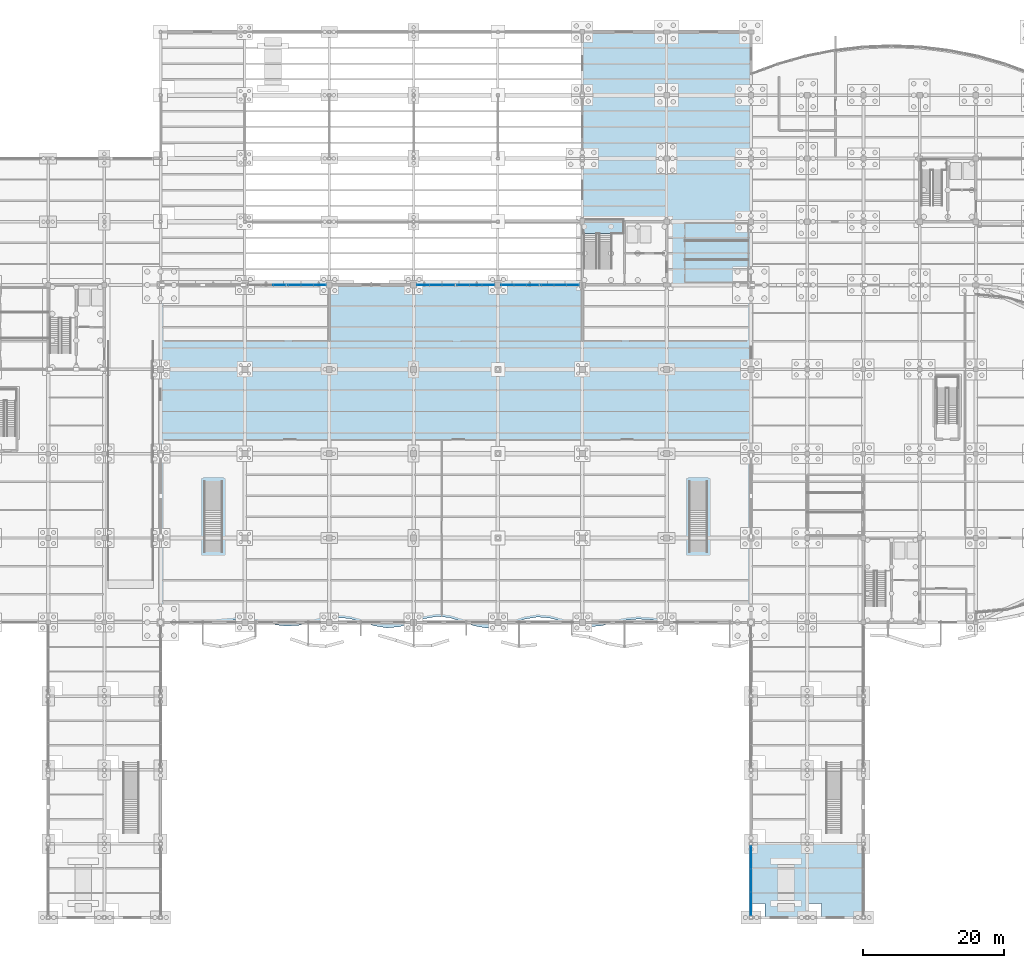
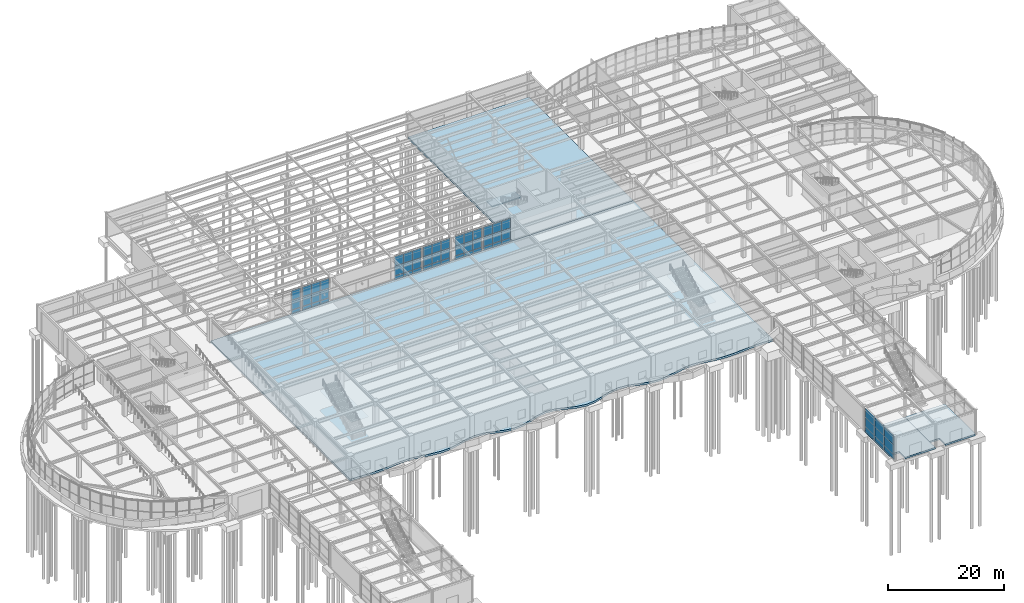
# One storey, part 54 of 85: 57 plates, 5 slabs, 8 elements without a shape of their own.
"""IFC4 building model written with IfcOpenShell, lengths in metres."""

import ifcopenshell
import ifcopenshell.guid

model = None  # the IFC model being written
_history = None  # IfcOwnerHistory: only IFC2X3 demands one
_inside = {}  # id of a spatial element -> (the spatial element, [elements in it])
_under = {}  # id of a project, library or spatial element -> (it, [spatial elements below it])
_declared = {}  # id of a project -> (the project, [libraries it declares])
_typed = {}  # id of a type object -> (the type object, [elements of that type])
_made_of = {}  # id of a material, layer set ... -> (it, [elements and type objects made of it])


def new_model(schema):
    """Start an empty IFC model of exactly this schema.

    Asked for "IFC4X3", IfcOpenShell would pick the latest addendum, in which some entities
    have other attributes; the version numbers below select the first issue.
    IFC2X3 requires an IfcOwnerHistory on every rooted entity: one is made here for all.
    """
    global model, _history
    if schema == "IFC4X3":
        model = ifcopenshell.file(schema_version=(4, 3, 0, 0))
    else:
        model = ifcopenshell.file(schema=schema)
    _inside.clear()
    _under.clear()
    _declared.clear()
    _typed.clear()
    _made_of.clear()
    _history = None
    if model.schema == "IFC2X3":
        org = make("IfcOrganization", Name="unknown")
        user = make(
            "IfcPersonAndOrganization",
            ThePerson=make("IfcPerson", FamilyName="unknown"),
            TheOrganization=org,
        )
        app = make(
            "IfcApplication",
            ApplicationDeveloper=org,
            Version="unknown",
            ApplicationFullName="unknown",
            ApplicationIdentifier="unknown",
        )
        _history = make(
            "IfcOwnerHistory",
            OwningUser=user,
            OwningApplication=app,
            ChangeAction="ADDED",
            CreationDate=0,
        )
    return model


def make(cls, **values):
    """One entity of the class cls with the attributes given. An attribute that is None is left unset."""
    return model.create_entity(
        cls, **{name: value for name, value in values.items() if value is not None}
    )


def rooted(cls, **values):
    """An entity with a GlobalId (a new one), such as an element, a storey or a relation."""
    return make(cls, GlobalId=ifcopenshell.guid.new(), OwnerHistory=_history, **values)


def si_unit(unit_type, name, prefix=None):
    """IfcSIUnit, for example si_unit("LENGTHUNIT", "METRE", prefix="MILLI")."""
    return make("IfcSIUnit", UnitType=unit_type, Prefix=prefix, Name=name)


def assignment(units):
    """IfcUnitAssignment: the units of a project."""
    return None if units is None else make("IfcUnitAssignment", Units=units)


def point(xyz):
    """IfcCartesianPoint."""
    return None if xyz is None else make("IfcCartesianPoint", Coordinates=xyz)


def direction(xyz):
    """IfcDirection."""
    return None if xyz is None else make("IfcDirection", DirectionRatios=xyz)


def frame(location, z_axis=None, x_axis=None):
    """IfcAxis2Placement3D, a coordinate frame: its origin and axes. An axis left out is left unset."""
    return make(
        "IfcAxis2Placement3D",
        Location=point(location),
        Axis=direction(z_axis),
        RefDirection=direction(x_axis),
    )


def frame_2d(location, x_axis=None):
    """IfcAxis2Placement2D, a coordinate frame in the plane: its origin and x axis."""
    return make(
        "IfcAxis2Placement2D", Location=point(location), RefDirection=direction(x_axis)
    )


def origin():
    """The frame at (0, 0, 0) with its axes left unset."""
    return frame((0.0, 0.0, 0.0))


def origin_2d():
    """The frame at (0, 0) in the plane with its x axis left unset."""
    return frame_2d((0.0, 0.0))


def place(relative_to, where):
    """IfcLocalPlacement: puts the frame where relative to a parent placement (None: the world)."""
    return make(
        "IfcLocalPlacement", PlacementRelTo=relative_to, RelativePlacement=where
    )


def context(
    kind, dimensions, precision=None, world=None, true_north=None, identifier=None
):
    """IfcGeometricRepresentationContext, for example the 3D "Model" context."""
    return make(
        "IfcGeometricRepresentationContext",
        ContextIdentifier=identifier,
        ContextType=kind,
        CoordinateSpaceDimension=dimensions,
        Precision=precision,
        WorldCoordinateSystem=world,
        TrueNorth=true_north,
    )


def subcontext(parent, identifier, kind, view, scale=None):
    """IfcGeometricRepresentationSubContext, for example "Body" below "Model"."""
    return make(
        "IfcGeometricRepresentationSubContext",
        ContextIdentifier=identifier,
        ContextType=kind,
        ParentContext=parent,
        TargetScale=scale,
        TargetView=view,
    )


def project(units=None, contexts=None):
    """IfcProject with its units and contexts."""
    return rooted(
        "IfcProject",
        Name="project",
        RepresentationContexts=contexts,
        UnitsInContext=assignment(units),
    )


def spatial(cls, under=None, at=None, **own):
    """A site, building, storey or space (cls), placed at a placement, below another one or the project."""
    s = rooted(cls, ObjectPlacement=at, **own)
    if under is not None:
        _under.setdefault(under.id(), (under, []))[1].append(s)
    return s


def polyline(points):
    """IfcPolyline through the points."""
    return make("IfcPolyline", Points=[point(p) for p in points])


def profile(cls, at=None, kind="AREA", **sizes):
    """A parametric profile (cls). Its sizes go by their IFC names, for example OverallWidth=200.0."""
    return make(cls, ProfileType=kind, Position=at, **sizes)


def rectangle(**sizes):
    """IfcRectangleProfileDef."""
    return profile("IfcRectangleProfileDef", **sizes)


def outline(outer, holes=None, kind="AREA"):
    """IfcArbitraryClosedProfileDef: a profile drawn as a closed curve; with holes, ...WithVoids."""
    if holes is None:
        return make("IfcArbitraryClosedProfileDef", ProfileType=kind, OuterCurve=outer)
    return make(
        "IfcArbitraryProfileDefWithVoids",
        ProfileType=kind,
        OuterCurve=outer,
        InnerCurves=holes,
    )


def extrude(swept, where, along, depth):
    """IfcExtrudedAreaSolid: the profile swept, set in the frame where, extruded along a direction by depth."""
    return make(
        "IfcExtrudedAreaSolid",
        SweptArea=swept,
        Position=where,
        ExtrudedDirection=direction(along),
        Depth=depth,
    )


def shape(context_of_items, identifier, shape_type, items):
    """IfcShapeRepresentation: the items that make up one representation, for example the "Body"."""
    return make(
        "IfcShapeRepresentation",
        ContextOfItems=context_of_items,
        RepresentationIdentifier=identifier,
        RepresentationType=shape_type,
        Items=items,
    )


def material(Name=None, Category=None):
    """IfcMaterial."""
    return make("IfcMaterial", Name=Name, Category=Category)


def layer(
    of_material, thickness, ventilated=None, Name=None, Category=None, Priority=None
):
    """IfcMaterialLayer: one layer of a wall or slab, of a material (None: an air gap)."""
    return make(
        "IfcMaterialLayer",
        Material=of_material,
        LayerThickness=thickness,
        IsVentilated=ventilated,
        Name=Name,
        Category=Category,
        Priority=Priority,
    )


def layer_set(layers, Name=None):
    """IfcMaterialLayerSet."""
    return make("IfcMaterialLayerSet", MaterialLayers=layers, LayerSetName=Name)


def made_of(thing, what):
    """Note that an element or type object is made of a material, layer set ...; save() writes the relation."""
    if what is not None:
        _made_of.setdefault(what.id(), (what, []))[1].append(thing)
    return thing


def type_object(cls, material=None, **own):
    """A type object (cls), such as IfcWallType, which elements share."""
    return made_of(rooted(cls, **own), material)


def element(
    cls,
    number,
    at=None,
    inside=None,
    cuts=None,
    type_object=None,
    material=None,
    context=None,
    identifier="Body",
    shape_type=None,
    held_by="IfcProductDefinitionShape",
    body=None,
    shapes=None,
    **own,
):
    """One element of the class cls, such as IfcWall. Its Tag is "e" and its number.

    at: its placement. inside: the storey or other place that contains it. cuts: it is an
    opening in that element (IfcRelVoidsElement). A single representation is given by context,
    identifier, shape_type and body (its items); several are given by shapes. held_by: the class
    of the entity that holds the representations. save() writes the other relations.
    """
    e = rooted(cls, Tag="e%d" % number, ObjectPlacement=at, **own)
    if body is not None:
        shapes = [shape(context, identifier, shape_type, body)]
    if shapes is not None:
        e.Representation = make(held_by, Representations=shapes)
    if inside is not None:
        _inside.setdefault(inside.id(), (inside, []))[1].append(e)
    if cuts is not None:
        rooted(
            "IfcRelVoidsElement", RelatingBuildingElement=cuts, RelatedOpeningElement=e
        )
    if type_object is not None:
        _typed.setdefault(type_object.id(), (type_object, []))[1].append(e)
    return made_of(e, material)


def aggregate(whole, parts):
    """IfcRelAggregates: a whole, such as a stair, and the parts it consists of."""
    return rooted("IfcRelAggregates", RelatingObject=whole, RelatedObjects=parts)


def save(model, path):
    """Write the relations noted so far, then the file.

    IfcRelAggregates (storeys below a building ...), IfcRelContainedInSpatialStructure (elements
    in a storey), IfcRelDefinesByType, IfcRelAssociatesMaterial and IfcRelDeclares: one each for
    every whole, place, type object, material and project.
    """
    for whole, parts in _under.values():
        aggregate(whole, parts)
    for where, things in _inside.values():
        rooted(
            "IfcRelContainedInSpatialStructure",
            RelatedElements=things,
            RelatingStructure=where,
        )
    for kind, things in _typed.values():
        rooted("IfcRelDefinesByType", RelatedObjects=things, RelatingType=kind)
    for what, things in _made_of.values():
        rooted("IfcRelAssociatesMaterial", RelatedObjects=things, RelatingMaterial=what)
    for by, libraries in _declared.values():
        rooted("IfcRelDeclares", RelatingContext=by, RelatedDefinitions=libraries)
    model.write(path)


model = new_model("IFC4")

# Units and contexts
model_context = context("Model", 3, precision=1e-05, world=origin(), true_north=direction((0.0, 1.0)))
body_context = subcontext(model_context, "Body", "Model", "MODEL_VIEW")
ifc_project = project(units=[si_unit("LENGTHUNIT", "METRE"), si_unit("AREAUNIT", "SQUARE_METRE"), si_unit("VOLUMEUNIT", "CUBIC_METRE"), si_unit("PLANEANGLEUNIT", "RADIAN"), si_unit("MASSUNIT", "GRAM", prefix="KILO")], contexts=[model_context])

# Site, building, storey
site_placement = place(None, origin())
site = spatial("IfcSite", under=ifc_project, at=site_placement, CompositionType="ELEMENT")
building_placement = place(site_placement, origin())
building = spatial("IfcBuilding", under=site, at=building_placement, Name="Keelwater Ferry Terminal", CompositionType="ELEMENT")
storey_placement = place(building_placement, origin())
storey = spatial("IfcBuildingStorey", under=building, at=storey_placement, Name="L00", CompositionType="ELEMENT", Elevation=0.0)

# Curtain wall, plate
ifc_material_1 = material(Name="Thermally broken unitised aluminium and triple glass", Category="aluminium")
ifc_layer_1 = layer(ifc_material_1, 0.179931640625)
ifc_layer_set_1 = layer_set([ifc_layer_1], Name="Thermally broken unitised aluminium and triple glass")
curtain_wall_type_1 = type_object("IfcCurtainWallType", Name="CW-05 Unitised Curtain Wall 5305x4950", PredefinedType="USERDEFINED", material=ifc_layer_set_1)
curtain_wall_1_placement = place(storey_placement, origin())
curtain_wall_1 = element("IfcCurtainWall", 1, at=curtain_wall_1_placement, inside=storey, type_object=curtain_wall_type_1, Name="Unitised Curtain Wall CW-L00-025", ObjectType="UNITISED CURTAIN WALL", PredefinedType="USERDEFINED")
ifc_material_2 = material(Name="Insulated aluminium spandrel", Category="aluminium")
ifc_layer_2 = layer(ifc_material_2, 0.080078125)
ifc_layer_set_2 = layer_set([ifc_layer_2], Name="Insulated aluminium spandrel")
plate_type_1 = type_object("IfcPlateType", Name="CWP-S1 Insulated Spandrel Panel 80", PredefinedType="CURTAIN_PANEL", material=ifc_layer_set_2)
plate_1_placement = place(storey_placement, frame((64.9208984375, 90.0, 0.0), z_axis=(0.0, 0.0, 1.0), x_axis=(1.0, 0.0, 0.0)))
plate_1 = element("IfcPlate", 2, at=plate_1_placement, type_object=plate_type_1, Name="CW-L00-025 Panel 3.1", PredefinedType="CURTAIN_PANEL", context=body_context, shape_type="SweptSolid", body=[
    extrude(rectangle(XDim=1.768310546875, YDim=0.080078125, at=origin_2d()), origin(), (0.0, 0.0, 1.0), 0.85009765625),
])

# Curtain wall, plates
curtain_wall_2_placement = place(storey_placement, origin())
curtain_wall_2 = element("IfcCurtainWall", 3, at=curtain_wall_2_placement, inside=storey, type_object=curtain_wall_type_1, Name="Unitised Curtain Wall CW-L00-026", ObjectType="UNITISED CURTAIN WALL", PredefinedType="USERDEFINED")
plate_2_placement = place(storey_placement, frame((67.0791015625, 90.0, 0.0), z_axis=(0.0, 0.0, 1.0), x_axis=(1.0, 0.0, 0.0)))
plate_2 = element("IfcPlate", 4, at=plate_2_placement, type_object=plate_type_1, Name="CW-L00-026 Panel 1.1", PredefinedType="CURTAIN_PANEL", context=body_context, shape_type="SweptSolid", body=[
    extrude(rectangle(XDim=1.768310546875, YDim=0.080078125, at=origin_2d()), origin(), (0.0, 0.0, 1.0), 0.85009765625),
])
plate_3_placement = place(storey_placement, frame((68.847412109375, 90.0, 0.0), z_axis=(0.0, 0.0, 1.0), x_axis=(1.0, 0.0, 0.0)))
plate_3 = element("IfcPlate", 5, at=plate_3_placement, type_object=plate_type_1, Name="CW-L00-026 Panel 2.1", PredefinedType="CURTAIN_PANEL", context=body_context, shape_type="SweptSolid", body=[
    extrude(rectangle(XDim=1.768310546875, YDim=0.080078125, at=origin_2d()), origin(), (0.0, 0.0, 1.0), 0.85009765625),
])
plate_4_placement = place(storey_placement, frame((70.61572265625, 90.0, 0.0), z_axis=(0.0, 0.0, 1.0), x_axis=(1.0, 0.0, 0.0)))
plate_4 = element("IfcPlate", 6, at=plate_4_placement, type_object=plate_type_1, Name="CW-L00-026 Panel 3.1", PredefinedType="CURTAIN_PANEL", context=body_context, shape_type="SweptSolid", body=[
    extrude(rectangle(XDim=1.768310546875, YDim=0.080078125, at=origin_2d()), origin(), (0.0, 0.0, 1.0), 0.85009765625),
])

curtain_wall_3_placement = place(storey_placement, origin())
curtain_wall_3 = element("IfcCurtainWall", 7, at=curtain_wall_3_placement, inside=storey, type_object=curtain_wall_type_1, Name="Unitised Curtain Wall CW-L00-027", ObjectType="UNITISED CURTAIN WALL", PredefinedType="USERDEFINED")
plate_5_placement = place(storey_placement, frame((85.38427734375, 90.0, 0.0), z_axis=(0.0, 0.0, 1.0), x_axis=(1.0, 0.0, 0.0)))
plate_5 = element("IfcPlate", 8, at=plate_5_placement, type_object=plate_type_1, Name="CW-L00-027 Panel 1.1", PredefinedType="CURTAIN_PANEL", context=body_context, shape_type="SweptSolid", body=[
    extrude(rectangle(XDim=1.768310546875, YDim=0.080078125, at=origin_2d()), origin(), (0.0, 0.0, 1.0), 0.85009765625),
])
plate_6_placement = place(storey_placement, frame((87.152587890625, 90.0, 0.0), z_axis=(0.0, 0.0, 1.0), x_axis=(1.0, 0.0, 0.0)))
plate_6 = element("IfcPlate", 9, at=plate_6_placement, type_object=plate_type_1, Name="CW-L00-027 Panel 2.1", PredefinedType="CURTAIN_PANEL", context=body_context, shape_type="SweptSolid", body=[
    extrude(rectangle(XDim=1.768310546875, YDim=0.080078125, at=origin_2d()), origin(), (0.0, 0.0, 1.0), 0.85009765625),
])
plate_7_placement = place(storey_placement, frame((88.9208984375, 90.0, 0.0), z_axis=(0.0, 0.0, 1.0), x_axis=(1.0, 0.0, 0.0)))
plate_7 = element("IfcPlate", 10, at=plate_7_placement, type_object=plate_type_1, Name="CW-L00-027 Panel 3.1", PredefinedType="CURTAIN_PANEL", context=body_context, shape_type="SweptSolid", body=[
    extrude(rectangle(XDim=1.768310546875, YDim=0.080078125, at=origin_2d()), origin(), (0.0, 0.0, 1.0), 0.85009765625),
])

curtain_wall_4_placement = place(storey_placement, origin())
curtain_wall_4 = element("IfcCurtainWall", 11, at=curtain_wall_4_placement, inside=storey, type_object=curtain_wall_type_1, Name="Unitised Curtain Wall CW-L00-028", ObjectType="UNITISED CURTAIN WALL", PredefinedType="USERDEFINED")
plate_8_placement = place(storey_placement, frame((91.0791015625, 90.0, 0.0), z_axis=(0.0, 0.0, 1.0), x_axis=(1.0, 0.0, 0.0)))
plate_8 = element("IfcPlate", 12, at=plate_8_placement, type_object=plate_type_1, Name="CW-L00-028 Panel 1.1", PredefinedType="CURTAIN_PANEL", context=body_context, shape_type="SweptSolid", body=[
    extrude(rectangle(XDim=1.768310546875, YDim=0.080078125, at=origin_2d()), origin(), (0.0, 0.0, 1.0), 0.85009765625),
])
plate_9_placement = place(storey_placement, frame((92.847412109375, 90.0, 0.0), z_axis=(0.0, 0.0, 1.0), x_axis=(1.0, 0.0, 0.0)))
plate_9 = element("IfcPlate", 13, at=plate_9_placement, type_object=plate_type_1, Name="CW-L00-028 Panel 2.1", PredefinedType="CURTAIN_PANEL", context=body_context, shape_type="SweptSolid", body=[
    extrude(rectangle(XDim=1.768310546875, YDim=0.080078125, at=origin_2d()), origin(), (0.0, 0.0, 1.0), 0.85009765625),
])
plate_10_placement = place(storey_placement, frame((94.61572265625, 90.0, 0.0), z_axis=(0.0, 0.0, 1.0), x_axis=(1.0, 0.0, 0.0)))
plate_10 = element("IfcPlate", 14, at=plate_10_placement, type_object=plate_type_1, Name="CW-L00-028 Panel 3.1", PredefinedType="CURTAIN_PANEL", context=body_context, shape_type="SweptSolid", body=[
    extrude(rectangle(XDim=1.768310546875, YDim=0.080078125, at=origin_2d()), origin(), (0.0, 0.0, 1.0), 0.85009765625),
])

curtain_wall_5_placement = place(storey_placement, origin())
curtain_wall_5 = element("IfcCurtainWall", 15, at=curtain_wall_5_placement, inside=storey, type_object=curtain_wall_type_1, Name="Unitised Curtain Wall CW-L00-029", ObjectType="UNITISED CURTAIN WALL", PredefinedType="USERDEFINED")
plate_11_placement = place(storey_placement, frame((97.38427734375, 90.0, 0.0), z_axis=(0.0, 0.0, 1.0), x_axis=(1.0, 0.0, 0.0)))
plate_11 = element("IfcPlate", 16, at=plate_11_placement, type_object=plate_type_1, Name="CW-L00-029 Panel 1.1", PredefinedType="CURTAIN_PANEL", context=body_context, shape_type="SweptSolid", body=[
    extrude(rectangle(XDim=1.768310546875, YDim=0.080078125, at=origin_2d()), origin(), (0.0, 0.0, 1.0), 0.85009765625),
])
plate_12_placement = place(storey_placement, frame((99.152587890625, 90.0, 0.0), z_axis=(0.0, 0.0, 1.0), x_axis=(1.0, 0.0, 0.0)))
plate_12 = element("IfcPlate", 17, at=plate_12_placement, type_object=plate_type_1, Name="CW-L00-029 Panel 2.1", PredefinedType="CURTAIN_PANEL", context=body_context, shape_type="SweptSolid", body=[
    extrude(rectangle(XDim=1.768310546875, YDim=0.080078125, at=origin_2d()), origin(), (0.0, 0.0, 1.0), 0.85009765625),
])
plate_13_placement = place(storey_placement, frame((100.9208984375, 90.0, 0.0), z_axis=(0.0, 0.0, 1.0), x_axis=(1.0, 0.0, 0.0)))
plate_13 = element("IfcPlate", 18, at=plate_13_placement, type_object=plate_type_1, Name="CW-L00-029 Panel 3.1", PredefinedType="CURTAIN_PANEL", context=body_context, shape_type="SweptSolid", body=[
    extrude(rectangle(XDim=1.768310546875, YDim=0.080078125, at=origin_2d()), origin(), (0.0, 0.0, 1.0), 0.85009765625),
])

curtain_wall_6_placement = place(storey_placement, origin())
curtain_wall_6 = element("IfcCurtainWall", 19, at=curtain_wall_6_placement, inside=storey, type_object=curtain_wall_type_1, Name="Unitised Curtain Wall CW-L00-030", ObjectType="UNITISED CURTAIN WALL", PredefinedType="USERDEFINED")
plate_14_placement = place(storey_placement, frame((103.0791015625, 90.0, 0.0), z_axis=(0.0, 0.0, 1.0), x_axis=(1.0, 0.0, 0.0)))
plate_14 = element("IfcPlate", 20, at=plate_14_placement, type_object=plate_type_1, Name="CW-L00-030 Panel 1.1", PredefinedType="CURTAIN_PANEL", context=body_context, shape_type="SweptSolid", body=[
    extrude(rectangle(XDim=1.768310546875, YDim=0.080078125, at=origin_2d()), origin(), (0.0, 0.0, 1.0), 0.85009765625),
])
plate_15_placement = place(storey_placement, frame((104.847412109375, 90.0, 0.0), z_axis=(0.0, 0.0, 1.0), x_axis=(1.0, 0.0, 0.0)))
plate_15 = element("IfcPlate", 21, at=plate_15_placement, type_object=plate_type_1, Name="CW-L00-030 Panel 2.1", PredefinedType="CURTAIN_PANEL", context=body_context, shape_type="SweptSolid", body=[
    extrude(rectangle(XDim=1.768310546875, YDim=0.080078125, at=origin_2d()), origin(), (0.0, 0.0, 1.0), 0.85009765625),
])
plate_16_placement = place(storey_placement, frame((106.61572265625, 90.0, 0.0), z_axis=(0.0, 0.0, 1.0), x_axis=(1.0, 0.0, 0.0)))
plate_16 = element("IfcPlate", 22, at=plate_16_placement, type_object=plate_type_1, Name="CW-L00-030 Panel 3.1", PredefinedType="CURTAIN_PANEL", context=body_context, shape_type="SweptSolid", body=[
    extrude(rectangle(XDim=1.768310546875, YDim=0.080078125, at=origin_2d()), origin(), (0.0, 0.0, 1.0), 0.85009765625),
])

ifc_material_3 = material(Name="Thermally broken unitised aluminium and triple glass", Category="aluminium")
ifc_layer_3 = layer(ifc_material_3, 0.179931640625)
ifc_layer_set_3 = layer_set([ifc_layer_3], Name="Thermally broken unitised aluminium and triple glass")
curtain_wall_type_2 = type_object("IfcCurtainWallType", Name="CW-08 Unitised Curtain Wall 9842x4950", PredefinedType="USERDEFINED", material=ifc_layer_set_3)
curtain_wall_7_placement = place(storey_placement, origin())
curtain_wall_7 = element("IfcCurtainWall", 23, at=curtain_wall_7_placement, inside=storey, type_object=curtain_wall_type_2, Name="Unitised Curtain Wall CW-L00-059", ObjectType="UNITISED CURTAIN WALL", PredefinedType="USERDEFINED")
plate_17_placement = place(storey_placement, frame((132.0, 1.96923828125, 0.0), z_axis=(0.0, 0.0, 1.0), x_axis=(0.0, 1.0, 0.0)))
plate_17 = element("IfcPlate", 24, at=plate_17_placement, type_object=plate_type_1, Name="CW-L00-059 Panel 1.1", PredefinedType="CURTAIN_PANEL", context=body_context, shape_type="SweptSolid", body=[
    extrude(rectangle(XDim=3.28076171875, YDim=0.080078125, at=origin_2d()), origin(), (0.0, 0.0, 1.0), 1.0),
])
plate_18_placement = place(storey_placement, frame((132.0, 5.25, 0.0), z_axis=(0.0, 0.0, 1.0), x_axis=(0.0, 1.0, 0.0)))
plate_18 = element("IfcPlate", 25, at=plate_18_placement, type_object=plate_type_1, Name="CW-L00-059 Panel 2.1", PredefinedType="CURTAIN_PANEL", context=body_context, shape_type="SweptSolid", body=[
    extrude(rectangle(XDim=3.28076171875, YDim=0.080078125, at=origin_2d()), origin(), (0.0, 0.0, 1.0), 1.0),
])
plate_19_placement = place(storey_placement, frame((132.0, 8.53076171875, 0.0), z_axis=(0.0, 0.0, 1.0), x_axis=(0.0, 1.0, 0.0)))
plate_19 = element("IfcPlate", 26, at=plate_19_placement, type_object=plate_type_1, Name="CW-L00-059 Panel 3.1", PredefinedType="CURTAIN_PANEL", context=body_context, shape_type="SweptSolid", body=[
    extrude(rectangle(XDim=3.28076171875, YDim=0.080078125, at=origin_2d()), origin(), (0.0, 0.0, 1.0), 1.0),
])

# Plate
ifc_material_4 = material(Name="Triple low-E laminated glass", Category="glass")
ifc_layer_4 = layer(ifc_material_4, 0.035888671875)
ifc_layer_set_4 = layer_set([ifc_layer_4], Name="Triple low-E laminated glass")
plate_type_2 = type_object("IfcPlateType", Name="CWP-V1 Glazed Vision Panel 36", PredefinedType="CURTAIN_PANEL", material=ifc_layer_set_4)
plate_20_placement = place(storey_placement, frame((64.9208984375, 90.0, 0.85009765625), z_axis=(0.0, 0.0, 1.0), x_axis=(1.0, 0.0, 0.0)))
plate_20 = element("IfcPlate", 27, at=plate_20_placement, type_object=plate_type_2, Name="CW-L00-025 Panel 3.2", PredefinedType="CURTAIN_PANEL", context=body_context, shape_type="SweptSolid", body=[
    extrude(rectangle(XDim=1.768310546875, YDim=0.035888671875, at=origin_2d()), origin(), (0.0, 0.0, 1.0), 2.050048828125),
])

plate_21_placement = place(storey_placement, frame((64.9208984375, 90.0, 2.89990234375), z_axis=(0.0, 0.0, 1.0), x_axis=(1.0, 0.0, 0.0)))
plate_21 = element("IfcPlate", 28, at=plate_21_placement, type_object=plate_type_2, Name="CW-L00-025 Panel 3.3", PredefinedType="CURTAIN_PANEL", context=body_context, shape_type="SweptSolid", body=[
    extrude(rectangle(XDim=1.768310546875, YDim=0.035888671875, at=origin_2d()), origin(), (0.0, 0.0, 1.0), 2.050048828125),
])

aggregate(curtain_wall_1, [plate_1, plate_20, plate_21])

plate_22_placement = place(storey_placement, frame((67.0791015625, 90.0, 0.85009765625), z_axis=(0.0, 0.0, 1.0), x_axis=(1.0, 0.0, 0.0)))
plate_22 = element("IfcPlate", 29, at=plate_22_placement, type_object=plate_type_2, Name="CW-L00-026 Panel 1.2", PredefinedType="CURTAIN_PANEL", context=body_context, shape_type="SweptSolid", body=[
    extrude(rectangle(XDim=1.768310546875, YDim=0.035888671875, at=origin_2d()), origin(), (0.0, 0.0, 1.0), 2.050048828125),
])

plate_23_placement = place(storey_placement, frame((67.0791015625, 90.0, 2.89990234375), z_axis=(0.0, 0.0, 1.0), x_axis=(1.0, 0.0, 0.0)))
plate_23 = element("IfcPlate", 30, at=plate_23_placement, type_object=plate_type_2, Name="CW-L00-026 Panel 1.3", PredefinedType="CURTAIN_PANEL", context=body_context, shape_type="SweptSolid", body=[
    extrude(rectangle(XDim=1.768310546875, YDim=0.035888671875, at=origin_2d()), origin(), (0.0, 0.0, 1.0), 2.050048828125),
])

plate_24_placement = place(storey_placement, frame((68.847412109375, 90.0, 0.85009765625), z_axis=(0.0, 0.0, 1.0), x_axis=(1.0, 0.0, 0.0)))
plate_24 = element("IfcPlate", 31, at=plate_24_placement, type_object=plate_type_2, Name="CW-L00-026 Panel 2.2", PredefinedType="CURTAIN_PANEL", context=body_context, shape_type="SweptSolid", body=[
    extrude(rectangle(XDim=1.768310546875, YDim=0.035888671875, at=origin_2d()), origin(), (0.0, 0.0, 1.0), 2.050048828125),
])

plate_25_placement = place(storey_placement, frame((68.847412109375, 90.0, 2.89990234375), z_axis=(0.0, 0.0, 1.0), x_axis=(1.0, 0.0, 0.0)))
plate_25 = element("IfcPlate", 32, at=plate_25_placement, type_object=plate_type_2, Name="CW-L00-026 Panel 2.3", PredefinedType="CURTAIN_PANEL", context=body_context, shape_type="SweptSolid", body=[
    extrude(rectangle(XDim=1.768310546875, YDim=0.035888671875, at=origin_2d()), origin(), (0.0, 0.0, 1.0), 2.050048828125),
])

plate_26_placement = place(storey_placement, frame((70.61572265625, 90.0, 0.85009765625), z_axis=(0.0, 0.0, 1.0), x_axis=(1.0, 0.0, 0.0)))
plate_26 = element("IfcPlate", 33, at=plate_26_placement, type_object=plate_type_2, Name="CW-L00-026 Panel 3.2", PredefinedType="CURTAIN_PANEL", context=body_context, shape_type="SweptSolid", body=[
    extrude(rectangle(XDim=1.768310546875, YDim=0.035888671875, at=origin_2d()), origin(), (0.0, 0.0, 1.0), 2.050048828125),
])

plate_27_placement = place(storey_placement, frame((70.61572265625, 90.0, 2.89990234375), z_axis=(0.0, 0.0, 1.0), x_axis=(1.0, 0.0, 0.0)))
plate_27 = element("IfcPlate", 34, at=plate_27_placement, type_object=plate_type_2, Name="CW-L00-026 Panel 3.3", PredefinedType="CURTAIN_PANEL", context=body_context, shape_type="SweptSolid", body=[
    extrude(rectangle(XDim=1.768310546875, YDim=0.035888671875, at=origin_2d()), origin(), (0.0, 0.0, 1.0), 2.050048828125),
])

aggregate(curtain_wall_2, [plate_2, plate_22, plate_23, plate_3, plate_24, plate_25, plate_4, plate_26, plate_27])

plate_28_placement = place(storey_placement, frame((85.38427734375, 90.0, 0.85009765625), z_axis=(0.0, 0.0, 1.0), x_axis=(1.0, 0.0, 0.0)))
plate_28 = element("IfcPlate", 35, at=plate_28_placement, type_object=plate_type_2, Name="CW-L00-027 Panel 1.2", PredefinedType="CURTAIN_PANEL", context=body_context, shape_type="SweptSolid", body=[
    extrude(rectangle(XDim=1.768310546875, YDim=0.035888671875, at=origin_2d()), origin(), (0.0, 0.0, 1.0), 2.050048828125),
])

plate_29_placement = place(storey_placement, frame((85.38427734375, 90.0, 2.89990234375), z_axis=(0.0, 0.0, 1.0), x_axis=(1.0, 0.0, 0.0)))
plate_29 = element("IfcPlate", 36, at=plate_29_placement, type_object=plate_type_2, Name="CW-L00-027 Panel 1.3", PredefinedType="CURTAIN_PANEL", context=body_context, shape_type="SweptSolid", body=[
    extrude(rectangle(XDim=1.768310546875, YDim=0.035888671875, at=origin_2d()), origin(), (0.0, 0.0, 1.0), 2.050048828125),
])

plate_30_placement = place(storey_placement, frame((87.152587890625, 90.0, 0.85009765625), z_axis=(0.0, 0.0, 1.0), x_axis=(1.0, 0.0, 0.0)))
plate_30 = element("IfcPlate", 37, at=plate_30_placement, type_object=plate_type_2, Name="CW-L00-027 Panel 2.2", PredefinedType="CURTAIN_PANEL", context=body_context, shape_type="SweptSolid", body=[
    extrude(rectangle(XDim=1.768310546875, YDim=0.035888671875, at=origin_2d()), origin(), (0.0, 0.0, 1.0), 2.050048828125),
])

plate_31_placement = place(storey_placement, frame((87.152587890625, 90.0, 2.89990234375), z_axis=(0.0, 0.0, 1.0), x_axis=(1.0, 0.0, 0.0)))
plate_31 = element("IfcPlate", 38, at=plate_31_placement, type_object=plate_type_2, Name="CW-L00-027 Panel 2.3", PredefinedType="CURTAIN_PANEL", context=body_context, shape_type="SweptSolid", body=[
    extrude(rectangle(XDim=1.768310546875, YDim=0.035888671875, at=origin_2d()), origin(), (0.0, 0.0, 1.0), 2.050048828125),
])

plate_32_placement = place(storey_placement, frame((88.9208984375, 90.0, 0.85009765625), z_axis=(0.0, 0.0, 1.0), x_axis=(1.0, 0.0, 0.0)))
plate_32 = element("IfcPlate", 39, at=plate_32_placement, type_object=plate_type_2, Name="CW-L00-027 Panel 3.2", PredefinedType="CURTAIN_PANEL", context=body_context, shape_type="SweptSolid", body=[
    extrude(rectangle(XDim=1.768310546875, YDim=0.035888671875, at=origin_2d()), origin(), (0.0, 0.0, 1.0), 2.050048828125),
])

plate_33_placement = place(storey_placement, frame((88.9208984375, 90.0, 2.89990234375), z_axis=(0.0, 0.0, 1.0), x_axis=(1.0, 0.0, 0.0)))
plate_33 = element("IfcPlate", 40, at=plate_33_placement, type_object=plate_type_2, Name="CW-L00-027 Panel 3.3", PredefinedType="CURTAIN_PANEL", context=body_context, shape_type="SweptSolid", body=[
    extrude(rectangle(XDim=1.768310546875, YDim=0.035888671875, at=origin_2d()), origin(), (0.0, 0.0, 1.0), 2.050048828125),
])

aggregate(curtain_wall_3, [plate_5, plate_28, plate_29, plate_6, plate_30, plate_31, plate_7, plate_32, plate_33])

plate_34_placement = place(storey_placement, frame((91.0791015625, 90.0, 0.85009765625), z_axis=(0.0, 0.0, 1.0), x_axis=(1.0, 0.0, 0.0)))
plate_34 = element("IfcPlate", 41, at=plate_34_placement, type_object=plate_type_2, Name="CW-L00-028 Panel 1.2", PredefinedType="CURTAIN_PANEL", context=body_context, shape_type="SweptSolid", body=[
    extrude(rectangle(XDim=1.768310546875, YDim=0.035888671875, at=origin_2d()), origin(), (0.0, 0.0, 1.0), 2.050048828125),
])

plate_35_placement = place(storey_placement, frame((91.0791015625, 90.0, 2.89990234375), z_axis=(0.0, 0.0, 1.0), x_axis=(1.0, 0.0, 0.0)))
plate_35 = element("IfcPlate", 42, at=plate_35_placement, type_object=plate_type_2, Name="CW-L00-028 Panel 1.3", PredefinedType="CURTAIN_PANEL", context=body_context, shape_type="SweptSolid", body=[
    extrude(rectangle(XDim=1.768310546875, YDim=0.035888671875, at=origin_2d()), origin(), (0.0, 0.0, 1.0), 2.050048828125),
])

plate_36_placement = place(storey_placement, frame((92.847412109375, 90.0, 0.85009765625), z_axis=(0.0, 0.0, 1.0), x_axis=(1.0, 0.0, 0.0)))
plate_36 = element("IfcPlate", 43, at=plate_36_placement, type_object=plate_type_2, Name="CW-L00-028 Panel 2.2", PredefinedType="CURTAIN_PANEL", context=body_context, shape_type="SweptSolid", body=[
    extrude(rectangle(XDim=1.768310546875, YDim=0.035888671875, at=origin_2d()), origin(), (0.0, 0.0, 1.0), 2.050048828125),
])

plate_37_placement = place(storey_placement, frame((92.847412109375, 90.0, 2.89990234375), z_axis=(0.0, 0.0, 1.0), x_axis=(1.0, 0.0, 0.0)))
plate_37 = element("IfcPlate", 44, at=plate_37_placement, type_object=plate_type_2, Name="CW-L00-028 Panel 2.3", PredefinedType="CURTAIN_PANEL", context=body_context, shape_type="SweptSolid", body=[
    extrude(rectangle(XDim=1.768310546875, YDim=0.035888671875, at=origin_2d()), origin(), (0.0, 0.0, 1.0), 2.050048828125),
])

plate_38_placement = place(storey_placement, frame((94.61572265625, 90.0, 0.85009765625), z_axis=(0.0, 0.0, 1.0), x_axis=(1.0, 0.0, 0.0)))
plate_38 = element("IfcPlate", 45, at=plate_38_placement, type_object=plate_type_2, Name="CW-L00-028 Panel 3.2", PredefinedType="CURTAIN_PANEL", context=body_context, shape_type="SweptSolid", body=[
    extrude(rectangle(XDim=1.768310546875, YDim=0.035888671875, at=origin_2d()), origin(), (0.0, 0.0, 1.0), 2.050048828125),
])

plate_39_placement = place(storey_placement, frame((94.61572265625, 90.0, 2.89990234375), z_axis=(0.0, 0.0, 1.0), x_axis=(1.0, 0.0, 0.0)))
plate_39 = element("IfcPlate", 46, at=plate_39_placement, type_object=plate_type_2, Name="CW-L00-028 Panel 3.3", PredefinedType="CURTAIN_PANEL", context=body_context, shape_type="SweptSolid", body=[
    extrude(rectangle(XDim=1.768310546875, YDim=0.035888671875, at=origin_2d()), origin(), (0.0, 0.0, 1.0), 2.050048828125),
])

aggregate(curtain_wall_4, [plate_8, plate_34, plate_35, plate_9, plate_36, plate_37, plate_10, plate_38, plate_39])

plate_40_placement = place(storey_placement, frame((97.38427734375, 90.0, 0.85009765625), z_axis=(0.0, 0.0, 1.0), x_axis=(1.0, 0.0, 0.0)))
plate_40 = element("IfcPlate", 47, at=plate_40_placement, type_object=plate_type_2, Name="CW-L00-029 Panel 1.2", PredefinedType="CURTAIN_PANEL", context=body_context, shape_type="SweptSolid", body=[
    extrude(rectangle(XDim=1.768310546875, YDim=0.035888671875, at=origin_2d()), origin(), (0.0, 0.0, 1.0), 2.050048828125),
])

plate_41_placement = place(storey_placement, frame((97.38427734375, 90.0, 2.89990234375), z_axis=(0.0, 0.0, 1.0), x_axis=(1.0, 0.0, 0.0)))
plate_41 = element("IfcPlate", 48, at=plate_41_placement, type_object=plate_type_2, Name="CW-L00-029 Panel 1.3", PredefinedType="CURTAIN_PANEL", context=body_context, shape_type="SweptSolid", body=[
    extrude(rectangle(XDim=1.768310546875, YDim=0.035888671875, at=origin_2d()), origin(), (0.0, 0.0, 1.0), 2.050048828125),
])

plate_42_placement = place(storey_placement, frame((99.152587890625, 90.0, 0.85009765625), z_axis=(0.0, 0.0, 1.0), x_axis=(1.0, 0.0, 0.0)))
plate_42 = element("IfcPlate", 49, at=plate_42_placement, type_object=plate_type_2, Name="CW-L00-029 Panel 2.2", PredefinedType="CURTAIN_PANEL", context=body_context, shape_type="SweptSolid", body=[
    extrude(rectangle(XDim=1.768310546875, YDim=0.035888671875, at=origin_2d()), origin(), (0.0, 0.0, 1.0), 2.050048828125),
])

plate_43_placement = place(storey_placement, frame((99.152587890625, 90.0, 2.89990234375), z_axis=(0.0, 0.0, 1.0), x_axis=(1.0, 0.0, 0.0)))
plate_43 = element("IfcPlate", 50, at=plate_43_placement, type_object=plate_type_2, Name="CW-L00-029 Panel 2.3", PredefinedType="CURTAIN_PANEL", context=body_context, shape_type="SweptSolid", body=[
    extrude(rectangle(XDim=1.768310546875, YDim=0.035888671875, at=origin_2d()), origin(), (0.0, 0.0, 1.0), 2.050048828125),
])

plate_44_placement = place(storey_placement, frame((100.9208984375, 90.0, 0.85009765625), z_axis=(0.0, 0.0, 1.0), x_axis=(1.0, 0.0, 0.0)))
plate_44 = element("IfcPlate", 51, at=plate_44_placement, type_object=plate_type_2, Name="CW-L00-029 Panel 3.2", PredefinedType="CURTAIN_PANEL", context=body_context, shape_type="SweptSolid", body=[
    extrude(rectangle(XDim=1.768310546875, YDim=0.035888671875, at=origin_2d()), origin(), (0.0, 0.0, 1.0), 2.050048828125),
])

plate_45_placement = place(storey_placement, frame((100.9208984375, 90.0, 2.89990234375), z_axis=(0.0, 0.0, 1.0), x_axis=(1.0, 0.0, 0.0)))
plate_45 = element("IfcPlate", 52, at=plate_45_placement, type_object=plate_type_2, Name="CW-L00-029 Panel 3.3", PredefinedType="CURTAIN_PANEL", context=body_context, shape_type="SweptSolid", body=[
    extrude(rectangle(XDim=1.768310546875, YDim=0.035888671875, at=origin_2d()), origin(), (0.0, 0.0, 1.0), 2.050048828125),
])

aggregate(curtain_wall_5, [plate_11, plate_40, plate_41, plate_12, plate_42, plate_43, plate_13, plate_44, plate_45])

plate_46_placement = place(storey_placement, frame((103.0791015625, 90.0, 0.85009765625), z_axis=(0.0, 0.0, 1.0), x_axis=(1.0, 0.0, 0.0)))
plate_46 = element("IfcPlate", 53, at=plate_46_placement, type_object=plate_type_2, Name="CW-L00-030 Panel 1.2", PredefinedType="CURTAIN_PANEL", context=body_context, shape_type="SweptSolid", body=[
    extrude(rectangle(XDim=1.768310546875, YDim=0.035888671875, at=origin_2d()), origin(), (0.0, 0.0, 1.0), 2.050048828125),
])

plate_47_placement = place(storey_placement, frame((103.0791015625, 90.0, 2.89990234375), z_axis=(0.0, 0.0, 1.0), x_axis=(1.0, 0.0, 0.0)))
plate_47 = element("IfcPlate", 54, at=plate_47_placement, type_object=plate_type_2, Name="CW-L00-030 Panel 1.3", PredefinedType="CURTAIN_PANEL", context=body_context, shape_type="SweptSolid", body=[
    extrude(rectangle(XDim=1.768310546875, YDim=0.035888671875, at=origin_2d()), origin(), (0.0, 0.0, 1.0), 2.050048828125),
])

plate_48_placement = place(storey_placement, frame((104.847412109375, 90.0, 0.85009765625), z_axis=(0.0, 0.0, 1.0), x_axis=(1.0, 0.0, 0.0)))
plate_48 = element("IfcPlate", 55, at=plate_48_placement, type_object=plate_type_2, Name="CW-L00-030 Panel 2.2", PredefinedType="CURTAIN_PANEL", context=body_context, shape_type="SweptSolid", body=[
    extrude(rectangle(XDim=1.768310546875, YDim=0.035888671875, at=origin_2d()), origin(), (0.0, 0.0, 1.0), 2.050048828125),
])

plate_49_placement = place(storey_placement, frame((104.847412109375, 90.0, 2.89990234375), z_axis=(0.0, 0.0, 1.0), x_axis=(1.0, 0.0, 0.0)))
plate_49 = element("IfcPlate", 56, at=plate_49_placement, type_object=plate_type_2, Name="CW-L00-030 Panel 2.3", PredefinedType="CURTAIN_PANEL", context=body_context, shape_type="SweptSolid", body=[
    extrude(rectangle(XDim=1.768310546875, YDim=0.035888671875, at=origin_2d()), origin(), (0.0, 0.0, 1.0), 2.050048828125),
])

plate_50_placement = place(storey_placement, frame((106.61572265625, 90.0, 0.85009765625), z_axis=(0.0, 0.0, 1.0), x_axis=(1.0, 0.0, 0.0)))
plate_50 = element("IfcPlate", 57, at=plate_50_placement, type_object=plate_type_2, Name="CW-L00-030 Panel 3.2", PredefinedType="CURTAIN_PANEL", context=body_context, shape_type="SweptSolid", body=[
    extrude(rectangle(XDim=1.768310546875, YDim=0.035888671875, at=origin_2d()), origin(), (0.0, 0.0, 1.0), 2.050048828125),
])

plate_51_placement = place(storey_placement, frame((106.61572265625, 90.0, 2.89990234375), z_axis=(0.0, 0.0, 1.0), x_axis=(1.0, 0.0, 0.0)))
plate_51 = element("IfcPlate", 58, at=plate_51_placement, type_object=plate_type_2, Name="CW-L00-030 Panel 3.3", PredefinedType="CURTAIN_PANEL", context=body_context, shape_type="SweptSolid", body=[
    extrude(rectangle(XDim=1.768310546875, YDim=0.035888671875, at=origin_2d()), origin(), (0.0, 0.0, 1.0), 2.050048828125),
])

aggregate(curtain_wall_6, [plate_14, plate_46, plate_47, plate_15, plate_48, plate_49, plate_16, plate_50, plate_51])

ifc_material_5 = material(Name="Acoustic marine triple glass", Category="glass")
ifc_layer_5 = layer(ifc_material_5, 0.048095703125)
ifc_layer_set_5 = layer_set([ifc_layer_5], Name="Acoustic marine triple glass")
plate_type_3 = type_object("IfcPlateType", Name="CWP-V3 Glazed Vision Panel 48", PredefinedType="CURTAIN_PANEL", material=ifc_layer_set_5)
plate_52_placement = place(storey_placement, frame((132.0, 1.96923828125, 1.0), z_axis=(0.0, 0.0, 1.0), x_axis=(0.0, 1.0, 0.0)))
plate_52 = element("IfcPlate", 59, at=plate_52_placement, type_object=plate_type_3, Name="CW-L00-059 Panel 1.2", PredefinedType="CURTAIN_PANEL", context=body_context, shape_type="SweptSolid", body=[
    extrude(rectangle(XDim=3.28076171875, YDim=0.048095703125, at=origin_2d()), origin(), (0.0, 0.0, 1.0), 2.0),
])

plate_53_placement = place(storey_placement, frame((132.0, 1.96923828125, 3.0), z_axis=(0.0, 0.0, 1.0), x_axis=(0.0, 1.0, 0.0)))
plate_53 = element("IfcPlate", 60, at=plate_53_placement, type_object=plate_type_3, Name="CW-L00-059 Panel 1.3", PredefinedType="CURTAIN_PANEL", context=body_context, shape_type="SweptSolid", body=[
    extrude(rectangle(XDim=3.28076171875, YDim=0.048095703125, at=origin_2d()), origin(), (0.0, 0.0, 1.0), 1.949951171875),
])

plate_54_placement = place(storey_placement, frame((132.0, 5.25, 1.0), z_axis=(0.0, 0.0, 1.0), x_axis=(0.0, 1.0, 0.0)))
plate_54 = element("IfcPlate", 61, at=plate_54_placement, type_object=plate_type_3, Name="CW-L00-059 Panel 2.2", PredefinedType="CURTAIN_PANEL", context=body_context, shape_type="SweptSolid", body=[
    extrude(rectangle(XDim=3.28076171875, YDim=0.048095703125, at=origin_2d()), origin(), (0.0, 0.0, 1.0), 2.0),
])

plate_55_placement = place(storey_placement, frame((132.0, 5.25, 3.0), z_axis=(0.0, 0.0, 1.0), x_axis=(0.0, 1.0, 0.0)))
plate_55 = element("IfcPlate", 62, at=plate_55_placement, type_object=plate_type_3, Name="CW-L00-059 Panel 2.3", PredefinedType="CURTAIN_PANEL", context=body_context, shape_type="SweptSolid", body=[
    extrude(rectangle(XDim=3.28076171875, YDim=0.048095703125, at=origin_2d()), origin(), (0.0, 0.0, 1.0), 1.949951171875),
])

plate_56_placement = place(storey_placement, frame((132.0, 8.53076171875, 1.0), z_axis=(0.0, 0.0, 1.0), x_axis=(0.0, 1.0, 0.0)))
plate_56 = element("IfcPlate", 63, at=plate_56_placement, type_object=plate_type_3, Name="CW-L00-059 Panel 3.2", PredefinedType="CURTAIN_PANEL", context=body_context, shape_type="SweptSolid", body=[
    extrude(rectangle(XDim=3.28076171875, YDim=0.048095703125, at=origin_2d()), origin(), (0.0, 0.0, 1.0), 2.0),
])

plate_57_placement = place(storey_placement, frame((132.0, 8.53076171875, 3.0), z_axis=(0.0, 0.0, 1.0), x_axis=(0.0, 1.0, 0.0)))
plate_57 = element("IfcPlate", 64, at=plate_57_placement, type_object=plate_type_3, Name="CW-L00-059 Panel 3.3", PredefinedType="CURTAIN_PANEL", context=body_context, shape_type="SweptSolid", body=[
    extrude(rectangle(XDim=3.28076171875, YDim=0.048095703125, at=origin_2d()), origin(), (0.0, 0.0, 1.0), 1.949951171875),
])

aggregate(curtain_wall_7, [plate_17, plate_52, plate_53, plate_18, plate_54, plate_55, plate_19, plate_56, plate_57])

# Slabs
ifc_material_6 = material(Name="Concrete C35/45", Category="concrete")
ifc_layer_6 = layer(ifc_material_6, 0.340087890625)
ifc_layer_set_6 = layer_set([ifc_layer_6], Name="Concrete C35/45")
slab_type_1 = type_object("IfcSlabType", Name="SL-B340 Ground Base Slab 340", PredefinedType="BASESLAB", material=ifc_layer_set_6)
slab_1_placement = place(storey_placement, frame((0.0, 0.0, -0.340087890625)))
element("IfcSlab", 65, at=slab_1_placement, inside=storey, type_object=slab_type_1, Name="V3 East Berth Quay Bay Slab SL-L00-018", PredefinedType="BASESLAB", context=body_context, shape_type="SweptSolid", body=[
    extrude(outline(polyline([(134.0, 0.0), (140.0, 0.0), (140.0, 10.5), (132.0, 10.5), (132.0, 2.0), (134.0, 2.0), (134.0, 0.0)])), origin(), (0.0, 0.0, 1.0), 0.340087890625),
])
slab_2_placement = place(storey_placement, frame((0.0, 0.0, -0.340087890625)))
element("IfcSlab", 66, at=slab_2_placement, inside=storey, type_object=slab_type_1, Name="V3 East Berth Quay Bay Slab SL-L00-022", PredefinedType="BASESLAB", context=body_context, shape_type="SweptSolid", body=[
    extrude(outline(polyline([(142.0, 0.0), (148.0, 0.0), (148.0, 10.5), (140.0, 10.5), (140.0, 2.0), (142.0, 2.0), (142.0, 0.0)])), origin(), (0.0, 0.0, 1.0), 0.340087890625),
])
ifc_material_7 = material(Name="Concrete C40/50", Category="concrete")
ifc_layer_7 = layer(ifc_material_7, 0.39990234375)
ifc_layer_set_7 = layer_set([ifc_layer_7], Name="Concrete C40/50")
slab_type_2 = type_object("IfcSlabType", Name="SL-B400 Ground Base Slab 400", PredefinedType="BASESLAB", material=ifc_layer_set_7)
slab_3_placement = place(storey_placement, frame((0.0, 0.0, -0.39990234375)))
element("IfcSlab", 67, at=slab_3_placement, inside=storey, type_object=slab_type_2, Name="V1 Ticketing Concourse Base Slab SL-L00-002", PredefinedType="BASESLAB", context=body_context, shape_type="SweptSolid", body=[
    extrude(outline(polyline([(48.0, 42.0), (49.787109375, 41.9599609375), (51.573974609375, 41.886962890625), (53.362060546875, 41.8779296875), (55.14892578125, 41.9951171875), (56.93603515625, 42.19189453125), (58.722900390625, 42.33203125), (60.510986328125, 42.281005859375), (62.298095703125, 42.01904296875), (64.0849609375, 41.677001953125), (65.8720703125, 41.47412109375), (67.659912109375, 41.572998046875), (69.447021484375, 41.958984375), (71.23388671875, 42.425048828125), (73.02099609375, 42.681884765625), (74.80908203125, 42.547119140625), (76.595947265625, 42.06591796875), (78.383056640625, 41.509033203125), (80.169921875, 41.2109375), (81.95703125, 41.368896484375), (83.7451171875, 41.907958984375), (85.531982421875, 42.51904296875), (87.319091796875, 42.839111328125), (89.10595703125, 42.673095703125), (90.89404296875, 42.113037109375), (92.680908203125, 41.490966796875), (94.468017578125, 41.1708984375), (96.2548828125, 41.333984375), (98.04296875, 41.8740234375), (99.830078125, 42.462890625), (101.616943359375, 42.760009765625), (103.404052734375, 42.610107421875), (105.19091796875, 42.126953125), (106.97900390625, 41.613037109375), (108.76611328125, 41.363037109375), (110.552978515625, 41.491943359375), (112.340087890625, 41.885986328125), (114.1279296875, 42.2880859375), (115.9150390625, 42.469970703125), (117.701904296875, 42.364990234375), (119.489013671875, 42.0849609375), (121.277099609375, 41.824951171875), (123.06396484375, 41.72900390625), (124.85107421875, 41.80810546875), (126.637939453125, 41.958984375), (128.426025390625, 42.05810546875), (130.212890625, 42.054931640625), (132.0, 42.0), (132.0, 90.0), (48.0, 90.0), (48.0, 42.0)])), origin(), (0.0, 0.0, 1.0), 0.39990234375),
])
slab_4_placement = place(storey_placement, frame((0.0, 0.0, -0.39990234375)))
element("IfcSlab", 68, at=slab_4_placement, inside=storey, type_object=slab_type_2, Name="V5 West Maritime Wing Base Slab SL-L00-004", PredefinedType="BASESLAB", context=body_context, shape_type="SweptSolid", body=[
    extrude(outline(polyline([(108.0, 90.0), (132.0, 90.0), (132.0, 126.0), (108.0, 126.0), (108.0, 90.0)])), origin(), (0.0, 0.0, 1.0), 0.39990234375),
])

# Stair, slab
ifc_material_8 = material(Name="Concrete C40/50", Category="concrete")
stair_type = type_object("IfcStairType", Name="ST-T03 Half-Turn Stair 1850W 36R", PredefinedType="HALF_TURN_STAIR", material=ifc_material_8)
stair_placement = place(storey_placement, origin())
stair = element("IfcStair", 69, at=stair_placement, inside=storey, type_object=stair_type, Name="Half-Turn Stair ST-C2-L00", PredefinedType="HALF_TURN_STAIR")
ifc_material_9 = material(Name="Concrete C40/50", Category="concrete")
ifc_layer_8 = layer(ifc_material_9, 0.219970703125)
ifc_layer_set_8 = layer_set([ifc_layer_8], Name="Concrete C40/50")
slab_type_3 = type_object("IfcSlabType", Name="SL-LD220 Stair Landing Slab 220", PredefinedType="LANDING", material=ifc_layer_set_8)
slab_5_placement = place(storey_placement, frame((0.0, 0.0, 2.47998046875)))
slab_5 = element("IfcSlab", 70, at=slab_5_placement, type_object=slab_type_3, Name="ST-C2-L00 landing 1", PredefinedType="LANDING", context=body_context, shape_type="SweptSolid", body=[
    extrude(outline(polyline([(108.14990234375, 97.340087890625), (113.8798828125, 97.340087890625), (113.8798828125, 99.340087890625), (108.14990234375, 99.340087890625), (108.14990234375, 97.340087890625)])), origin(), (0.0, 0.0, 1.0), 0.219970703125),
])
aggregate(stair, [slab_5])

save(model, "model.ifc")
